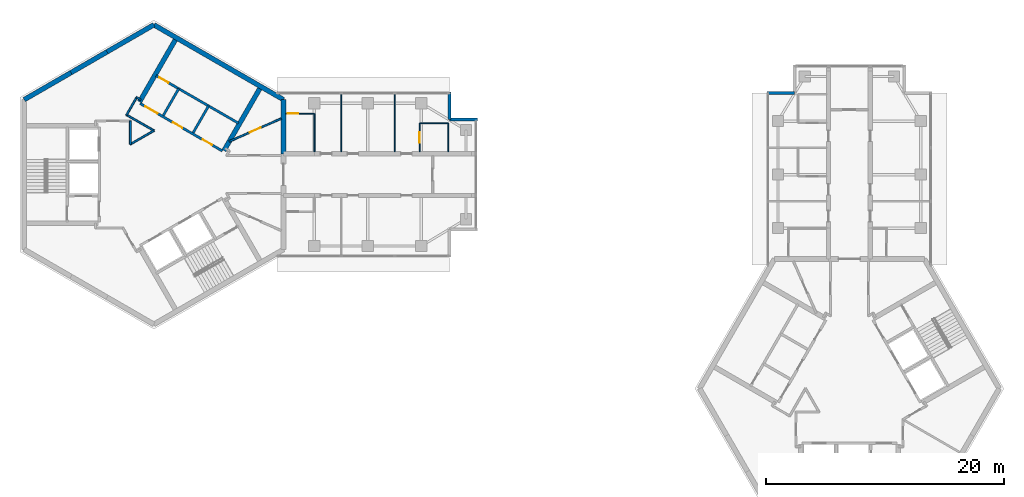
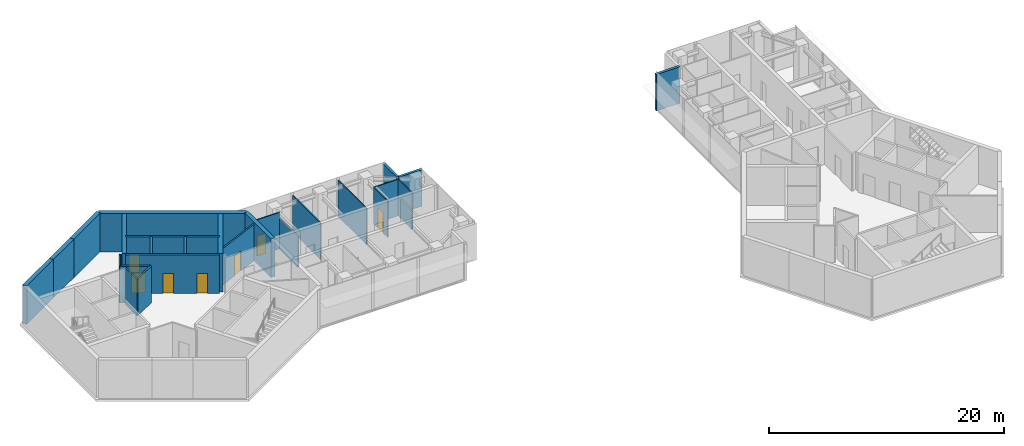
# One storey, part 7 of 11: 27 walls, 7 doors, 7 openings.
"""IFC4 building model written with IfcOpenShell, lengths in metres."""

from ifc_helpers import new_model, si_unit, direction, frame, frame_2d, origin, place, context, subcontext, project, spatial, rectangle, extrude, material, layer, layer_set, type_object, element, fill, save


model = new_model("IFC4")

# Units and contexts
model_context = context("Model", 3, precision=1e-05, world=origin(), true_north=direction((0.0, 1.0)))
body_context = subcontext(model_context, "Body", "Model", "MODEL_VIEW")
ifc_project = project(units=[si_unit("LENGTHUNIT", "METRE"), si_unit("AREAUNIT", "SQUARE_METRE"), si_unit("VOLUMEUNIT", "CUBIC_METRE"), si_unit("PLANEANGLEUNIT", "RADIAN"), si_unit("MASSUNIT", "GRAM", prefix="KILO")], contexts=[model_context])

# Site, building, storey
site_placement = place(None, origin())
site = spatial("IfcSite", under=ifc_project, at=site_placement, CompositionType="ELEMENT")
building_placement = place(site_placement, origin())
building = spatial("IfcBuilding", under=site, at=building_placement, Name="Upepo Twin Towers", CompositionType="ELEMENT")
storey_placement = place(building_placement, frame((0.0, 0.0, 271.5)))
storey = spatial("IfcBuildingStorey", under=building, at=storey_placement, Name="L66", CompositionType="ELEMENT", Elevation=271.5)

# Walls
ifc_material_1 = material(Name="Concrete C60/75", Category="concrete")
ifc_layer_1 = layer(ifc_material_1, 0.39990234375)
ifc_layer_set_1 = layer_set([ifc_layer_1], Name="Concrete C60/75")
wall_type_1 = type_object("IfcWallType", Name="Core wall 400 RC", PredefinedType="SHEAR", material=ifc_layer_set_1)
wall_1_placement = place(storey_placement, frame((10.908447265625, 1.75, 0.0), z_axis=(0.0, 0.0, 1.0), x_axis=(0.0, 1.0, 0.0)))
element("IfcWall", 1, at=wall_1_placement, inside=storey, type_object=wall_type_1, Name="T1 core wall 000 L", PredefinedType="SHEAR", context=body_context, shape_type="SweptSolid", body=[
    extrude(rectangle(XDim=4.5478515625, YDim=0.39990234375, at=frame_2d((2.27392578125, 0.0))), origin(), (0.0, 0.0, 1.0), 4.0),
])
wall_2_placement = place(storey_placement, frame((10.908447265625, 6.2978515625, 0.0), z_axis=(0.0, 0.0, 1.0), x_axis=(-0.866021940709, 0.500005998175, 0.0)))
element("IfcWall", 2, at=wall_2_placement, inside=storey, type_object=wall_type_1, Name="T1 core wall 060", PredefinedType="SHEAR", context=body_context, shape_type="SweptSolid", body=[
    extrude(rectangle(XDim=12.595947265625, YDim=0.39990234375, at=frame_2d((6.2978515625, 0.0))), origin(), (0.0, 0.0, 1.0), 4.0),
])
wall_3_placement = place(storey_placement, frame((0.0, 12.595947265625, 0.0), z_axis=(0.0, 0.0, 1.0), x_axis=(-0.866011268655, -0.500024481964, 0.0)))
element("IfcWall", 3, at=wall_3_placement, inside=storey, type_object=wall_type_1, Name="T1 core wall 120 R", PredefinedType="SHEAR", context=body_context, shape_type="SweptSolid", body=[
    extrude(rectangle(XDim=4.548095703125, YDim=0.39990234375, at=frame_2d((2.27392578125, 0.0))), origin(), (0.0, 0.0, 1.0), 4.0),
])
wall_4_placement = place(storey_placement, frame((-3.938720703125, 10.32177734375, 0.0), z_axis=(0.0, 0.0, 1.0), x_axis=(-0.866019471182, -0.500010275428, 0.0)))
element("IfcWall", 4, at=wall_4_placement, inside=storey, type_object=wall_type_1, Name="T1 core wall 120", PredefinedType="SHEAR", context=body_context, shape_type="SweptSolid", body=[
    extrude(rectangle(XDim=3.5, YDim=0.39990234375, at=frame_2d((1.75, 0.0))), origin(), (0.0, 0.0, 1.0), 4.0),
])
wall_5_placement = place(storey_placement, frame((-6.9697265625, 8.57177734375, 0.0), z_axis=(0.0, 0.0, 1.0), x_axis=(-0.866034513004, -0.499984222037, 0.0)))
element("IfcWall", 5, at=wall_5_placement, inside=storey, type_object=wall_type_1, Name="T1 core wall 120 L", PredefinedType="SHEAR", context=body_context, shape_type="SweptSolid", body=[
    extrude(rectangle(XDim=4.548095703125, YDim=0.39990234375, at=frame_2d((2.27392578125, 0.0))), origin(), (0.0, 0.0, 1.0), 4.0),
])
ifc_material_2 = material(Name="Blockwork with anodised aluminium cladding", Category="masonry")
ifc_layer_2 = layer(ifc_material_2, 0.25)
ifc_layer_set_2 = layer_set([ifc_layer_2], Name="Notch cladding wall 250, pale metal")
wall_type_2 = type_object("IfcWallType", Name="Notch cladding wall 250, pale metal", PredefinedType="STANDARD", material=ifc_layer_set_2)
for number, where, z_axis, x_axis, name in (
    (6, (24.875, 6.949951171875, 0.0), (0.0, 0.0, 1.0), (0.0, -1.0, 0.0), "T1 L66 wing A notch wall L1"),
    (7, (24.875, 4.625, 0.0), (0.0, 0.0, 1.0), (1.0, 0.0, 0.0), "T1 L66 wing A notch wall L2"),
    (8, (51.550048828125, 6.875, 0.0), (0.0, 0.0, 1.0), (1.0, 0.0, 0.0), "T2 L66 wing A notch wall L1"),
):
    element("IfcWall", number, at=place(storey_placement, frame(where, z_axis=z_axis, x_axis=x_axis)), inside=storey, type_object=wall_type_2, Name=name, PredefinedType="STANDARD", context=body_context, shape_type="SweptSolid", body=[
        extrude(rectangle(XDim=2.324951171875, YDim=0.25, at=frame_2d((1.16259765625, 0.0))), origin(), (0.0, 0.0, 1.0), 3.800048828125),
    ])
ifc_material_3 = material(Name="Gypsum board on steel studs", Category="steel")
ifc_layer_3 = layer(ifc_material_3, 0.10009765625)
ifc_layer_set_3 = layer_set([ifc_layer_3], Name="Office partition 100 stud")
wall_type_3 = type_object("IfcWallType", Name="Office partition 100 stud", PredefinedType="PARTITIONING", material=ifc_layer_set_3)
for number, where, z_axis, x_axis, name in (
    (9, (15.75, 1.925048828125, 0.0), (0.0, 0.0, 1.0), (0.0, 1.0, 0.0), "T1 partition AL at 15.75"),
    (10, (20.25, 1.925048828125, 0.0), (0.0, 0.0, 1.0), (0.0, 1.0, 0.0), "T1 partition AL at 20.25"),
):
    element("IfcWall", number, at=place(storey_placement, frame(where, z_axis=z_axis, x_axis=x_axis)), inside=storey, type_object=wall_type_3, Name=name, PredefinedType="PARTITIONING", context=body_context, shape_type="SweptSolid", body=[
        extrude(rectangle(XDim=4.824951171875, YDim=0.10009765625, at=frame_2d((2.41259765625, 0.0))), origin(), (0.0, 0.0, 1.0), 3.800048828125),
    ])
wall_6_placement = place(storey_placement, frame((22.35009765625, 4.324951171875, 0.0), z_axis=(0.0, 0.0, 1.0), x_axis=(1.0, 0.0, 0.0)))
element("IfcWall", 11, at=wall_6_placement, inside=storey, type_object=wall_type_3, Name="T1 inner room partition AL at 22.35", PredefinedType="PARTITIONING", context=body_context, shape_type="SweptSolid", body=[
    extrude(rectangle(XDim=2.39990234375, YDim=0.10009765625, at=frame_2d((1.199951171875, 0.0))), origin(), (0.0, 0.0, 1.0), 3.800048828125),
])

# Wall, opening, door
wall_7_placement = place(storey_placement, frame((22.35009765625, 1.925048828125, 0.0), z_axis=(0.0, 0.0, 1.0), x_axis=(0.0, 1.0, 0.0)))
wall_7 = element("IfcWall", 12, at=wall_7_placement, inside=storey, type_object=wall_type_3, Name="T1 inner room partition AL end at 22.35", PredefinedType="PARTITIONING", context=body_context, shape_type="SweptSolid", body=[
    extrude(rectangle(XDim=2.39990234375, YDim=0.10009765625, at=frame_2d((1.199951171875, 0.0))), origin(), (0.0, 0.0, 1.0), 3.800048828125),
])
opening_1_placement = place(wall_7_placement, frame((0.75, 0.0, 0.0)))
opening_1 = element("IfcOpeningElement", 13, at=opening_1_placement, cuts=wall_7, Name="Opening D14", PredefinedType="OPENING", context=body_context, shape_type="SweptSolid", body=[
    extrude(rectangle(XDim=0.89990234375, YDim=2.10009765625, at=frame_2d((0.449951171875, 1.050048828125))), frame((0.0, 0.06005859375, 0.0), z_axis=(0.0, -1.0, 0.0), x_axis=(1.0, 0.0, 0.0)), (0.0, 0.0, 1.0), 0.1201171875),
])
ifc_material_4 = material(Name="Timber doorset", Category="wood")
door_type_1 = type_object("IfcDoorType", Name="Office door 900 FD30", OperationType="SINGLE_SWING_LEFT", PredefinedType="DOOR", material=ifc_material_4)
door_1_placement = place(opening_1_placement, origin())
door_1 = element("IfcDoor", 14, at=door_1_placement, inside=storey, type_object=door_type_1, Name="T1 L66 inner room door", OperationType="SINGLE_SWING_LEFT", OverallHeight=2.10009765625, OverallWidth=0.89990234375, PredefinedType="DOOR", context=body_context, shape_type="SweptSolid", body=[
    extrude(rectangle(XDim=0.89990234375, YDim=2.10009765625, at=frame_2d((0.449951171875, 1.050048828125))), frame((0.0, 0.02490234375, 0.0), z_axis=(0.0, -1.0, 0.0), x_axis=(1.0, 0.0, 0.0)), (0.0, 0.0, 1.0), 0.050048828125),
])
fill(opening_1, door_1)

# Wall
wall_8_placement = place(storey_placement, frame((24.75, 1.925048828125, 0.0), z_axis=(0.0, 0.0, 1.0), x_axis=(0.0, 1.0, 0.0)))
element("IfcWall", 15, at=wall_8_placement, inside=storey, type_object=wall_type_3, Name="T1 inner room partition AL end at 24.75", PredefinedType="PARTITIONING", context=body_context, shape_type="SweptSolid", body=[
    extrude(rectangle(XDim=2.39990234375, YDim=0.10009765625, at=frame_2d((1.199951171875, 0.0))), origin(), (0.0, 0.0, 1.0), 3.800048828125),
])

# Wall, opening, door
wall_9_placement = place(storey_placement, frame((11.10791015625, 5.125, 0.0), z_axis=(0.0, 0.0, 1.0), x_axis=(1.0, 0.0, 0.0)))
wall_9 = element("IfcWall", 16, at=wall_9_placement, inside=storey, type_object=wall_type_3, Name="T1 WC bay partition AL at 11.11", PredefinedType="PARTITIONING", context=body_context, shape_type="SweptSolid", body=[
    extrude(rectangle(XDim=2.400146484375, YDim=0.10009765625, at=frame_2d((1.2001953125, 0.0))), origin(), (0.0, 0.0, 1.0), 3.800048828125),
])
opening_2_placement = place(wall_9_placement, frame((0.14990234375, 0.0, 0.0)))
opening_2 = element("IfcOpeningElement", 17, at=opening_2_placement, cuts=wall_9, Name="Opening D14", PredefinedType="OPENING", context=body_context, shape_type="SweptSolid", body=[
    extrude(rectangle(XDim=0.89990234375, YDim=2.10009765625, at=frame_2d((0.449951171875, 1.050048828125))), frame((0.0, 0.06005859375, 0.0), z_axis=(0.0, -1.0, 0.0), x_axis=(1.0, 0.0, 0.0)), (0.0, 0.0, 1.0), 0.1201171875),
])
door_2_placement = place(opening_2_placement, origin())
door_2 = element("IfcDoor", 18, at=door_2_placement, inside=storey, type_object=door_type_1, Name="T1 L66 WC bay inner room door", OperationType="SINGLE_SWING_LEFT", OverallHeight=2.10009765625, OverallWidth=0.89990234375, PredefinedType="DOOR", context=body_context, shape_type="SweptSolid", body=[
    extrude(rectangle(XDim=0.89990234375, YDim=2.10009765625, at=frame_2d((0.449951171875, 1.050048828125))), frame((0.0, 0.02490234375, 0.0), z_axis=(0.0, -1.0, 0.0), x_axis=(1.0, 0.0, 0.0)), (0.0, 0.0, 1.0), 0.050048828125),
])
fill(opening_2, door_2)

# Wall
wall_10_placement = place(storey_placement, frame((13.508056640625, 1.925048828125, 0.0), z_axis=(0.0, 0.0, 1.0), x_axis=(0.0, 1.0, 0.0)))
element("IfcWall", 19, at=wall_10_placement, inside=storey, type_object=wall_type_3, Name="T1 WC bay partition AL end at 13.51", PredefinedType="PARTITIONING", context=body_context, shape_type="SweptSolid", body=[
    extrude(rectangle(XDim=3.199951171875, YDim=0.10009765625, at=frame_2d((1.60009765625, 0.0))), origin(), (0.0, 0.0, 1.0), 3.266845703125),
])

# Wall, openings, doors
ifc_material_5 = material(Name="Concrete C40/50", Category="concrete")
ifc_layer_4 = layer(ifc_material_5, 0.199951171875)
ifc_layer_set_4 = layer_set([ifc_layer_4], Name="Concrete C40/50")
wall_type_4 = type_object("IfcWallType", Name="Shaft wall 200 RC", PredefinedType="SHEAR", material=ifc_layer_set_4)
wall_11_placement = place(storey_placement, frame((5.76416015625, 1.983642578125, 0.0), z_axis=(0.0, 0.0, 1.0), x_axis=(-0.866026010844, 0.49999894854, 0.0)))
wall_11 = element("IfcWall", 20, at=wall_11_placement, inside=storey, type_object=wall_type_4, Name="T1 core W60 front wall", PredefinedType="SHEAR", context=body_context, shape_type="SweptSolid", body=[
    extrude(rectangle(XDim=8.0, YDim=0.199951171875, at=frame_2d((4.0, 0.0))), origin(), (0.0, 0.0, 1.0), 4.0),
])
opening_3_placement = place(wall_11_placement, frame((6.300048828125, 0.0, 0.0)))
opening_3 = element("IfcOpeningElement", 21, at=opening_3_placement, cuts=wall_11, Name="Opening D4", PredefinedType="OPENING", context=body_context, shape_type="SweptSolid", body=[
    extrude(rectangle(XDim=1.199951171875, YDim=2.10009765625, at=frame_2d((0.60009765625, 1.050048828125))), frame((0.0, 0.10986328125, 0.0), z_axis=(0.0, -1.0, 0.0), x_axis=(1.0, 0.0, 0.0)), (0.0, 0.0, 1.0), 0.219970703125),
])
opening_4_placement = place(wall_11_placement, frame((1.0, 0.0, 0.0)))
opening_4 = element("IfcOpeningElement", 22, at=opening_4_placement, cuts=wall_11, Name="Opening D9", PredefinedType="OPENING", context=body_context, shape_type="SweptSolid", body=[
    extrude(rectangle(XDim=0.89990234375, YDim=2.10009765625, at=frame_2d((0.449951171875, 1.050048828125))), frame((0.0, 0.10986328125, 0.0), z_axis=(0.0, -1.0, 0.0), x_axis=(1.0, 0.0, 0.0)), (0.0, 0.0, 1.0), 0.219970703125),
])
opening_5_placement = place(wall_11_placement, frame((3.89990234375, 0.0, 0.0)))
opening_5 = element("IfcOpeningElement", 23, at=opening_5_placement, cuts=wall_11, Name="Opening D9", PredefinedType="OPENING", context=body_context, shape_type="SweptSolid", body=[
    extrude(rectangle(XDim=0.89990234375, YDim=2.10009765625, at=frame_2d((0.449951171875, 1.050048828125))), frame((0.0, 0.10986328125, 0.0), z_axis=(0.0, -1.0, 0.0), x_axis=(1.0, 0.0, 0.0)), (0.0, 0.0, 1.0), 0.219970703125),
])
ifc_material_6 = material(Name="Timber doorset", Category="wood")
door_type_2 = type_object("IfcDoorType", Name="Lobby door 1200 FD60", OperationType="SINGLE_SWING_LEFT", PredefinedType="DOOR", material=ifc_material_6)
door_3_placement = place(opening_3_placement, origin())
door_3 = element("IfcDoor", 24, at=door_3_placement, inside=storey, type_object=door_type_2, Name="T1 L66 W60 lobby door", OperationType="SINGLE_SWING_RIGHT", OverallHeight=2.10009765625, OverallWidth=1.199951171875, PredefinedType="DOOR", context=body_context, shape_type="SweptSolid", body=[
    extrude(rectangle(XDim=1.199951171875, YDim=2.10009765625, at=frame_2d((0.60009765625, 1.050048828125))), frame((0.0, 0.02490234375, 0.0), z_axis=(0.0, -1.0, 0.0), x_axis=(1.0, 0.0, 0.0)), (0.0, 0.0, 1.0), 0.050048828125),
])
fill(opening_3, door_3)
ifc_material_7 = material(Name="Timber doorset", Category="wood")
door_type_3 = type_object("IfcDoorType", Name="Riser door 900 FD60", OperationType="SINGLE_SWING_LEFT", PredefinedType="DOOR", material=ifc_material_7)
door_4_placement = place(opening_4_placement, origin())
door_4 = element("IfcDoor", 25, at=door_4_placement, inside=storey, type_object=door_type_3, Name="T1 L66 av equipment store door", OperationType="SINGLE_SWING_LEFT", OverallHeight=2.10009765625, OverallWidth=0.89990234375, PredefinedType="DOOR", context=body_context, shape_type="SweptSolid", body=[
    extrude(rectangle(XDim=0.89990234375, YDim=2.10009765625, at=frame_2d((0.449951171875, 1.050048828125))), frame((0.0, 0.02490234375, 0.0), z_axis=(0.0, -1.0, 0.0), x_axis=(1.0, 0.0, 0.0)), (0.0, 0.0, 1.0), 0.050048828125),
])
fill(opening_4, door_4)
door_5_placement = place(opening_5_placement, origin())
door_5 = element("IfcDoor", 26, at=door_5_placement, inside=storey, type_object=door_type_3, Name="T1 L66 cleaner's store door", OperationType="SINGLE_SWING_RIGHT", OverallHeight=2.10009765625, OverallWidth=0.89990234375, PredefinedType="DOOR", context=body_context, shape_type="SweptSolid", body=[
    extrude(rectangle(XDim=0.89990234375, YDim=2.10009765625, at=frame_2d((0.449951171875, 1.050048828125))), frame((0.0, 0.02490234375, 0.0), z_axis=(0.0, -1.0, 0.0), x_axis=(1.0, 0.0, 0.0)), (0.0, 0.0, 1.0), 0.050048828125),
])
fill(opening_5, door_5)

# Walls
for number, where, z_axis, x_axis, name in (
    (27, (3.302734375, 3.520263671875, 0.0), (0.0, 0.0, 1.0), (0.499936506574, 0.866062058628, 0.0), "T1 core W60 shaft divider"),
    (28, (0.791259765625, 4.97021484375, 0.0), (0.0, 0.0, 1.0), (0.499936506574, 0.866062058628, 0.0), "T1 core W60 lobby wall"),
):
    element("IfcWall", number, at=place(storey_placement, frame(where, z_axis=z_axis, x_axis=x_axis)), inside=storey, type_object=wall_type_4, Name=name, PredefinedType="SHEAR", context=body_context, shape_type="SweptSolid", body=[
        extrude(rectangle(XDim=2.599853515625, YDim=0.199951171875, at=frame_2d((1.2998046875, 0.0))), origin(), (0.0, 0.0, 1.0), 4.0),
    ])

# Wall, opening, door
wall_12_placement = place(storey_placement, frame((7.114013671875, 4.322021484375, 0.0), z_axis=(0.0, 0.0, 1.0), x_axis=(-0.866026010844, 0.49999894854, 0.0)))
wall_12 = element("IfcWall", 29, at=wall_12_placement, inside=storey, type_object=wall_type_4, Name="T1 core W60 stair wall", PredefinedType="SHEAR", context=body_context, shape_type="SweptSolid", body=[
    extrude(rectangle(XDim=8.0, YDim=0.199951171875, at=frame_2d((4.0, 0.0))), origin(), (0.0, 0.0, 1.0), 4.0),
])
opening_6_placement = place(wall_12_placement, frame((6.800048828125, 0.0, 0.0)))
opening_6 = element("IfcOpeningElement", 30, at=opening_6_placement, cuts=wall_12, Name="Opening D9", PredefinedType="OPENING", context=body_context, shape_type="SweptSolid", body=[
    extrude(rectangle(XDim=0.89990234375, YDim=2.10009765625, at=frame_2d((0.449951171875, 1.050048828125))), frame((0.0, 0.10986328125, 0.0), z_axis=(0.0, -1.0, 0.0), x_axis=(1.0, 0.0, 0.0)), (0.0, 0.0, 1.0), 0.219970703125),
])
door_6_placement = place(opening_6_placement, origin())
door_6 = element("IfcDoor", 31, at=door_6_placement, inside=storey, type_object=door_type_3, Name="T1 L66 riser door", OperationType="SINGLE_SWING_RIGHT", OverallHeight=2.10009765625, OverallWidth=0.89990234375, PredefinedType="DOOR", context=body_context, shape_type="SweptSolid", body=[
    extrude(rectangle(XDim=0.89990234375, YDim=2.10009765625, at=frame_2d((0.449951171875, 1.050048828125))), frame((0.0, 0.02490234375, 0.0), z_axis=(0.0, -1.0, 0.0), x_axis=(1.0, 0.0, 0.0)), (0.0, 0.0, 1.0), 0.050048828125),
])
fill(opening_6, door_6)

# Walls
ifc_material_8 = material(Name="Concrete C40/50", Category="concrete")
ifc_layer_5 = layer(ifc_material_8, 0.39990234375)
ifc_layer_set_5 = layer_set([ifc_layer_5], Name="Concrete C40/50")
wall_type_5 = type_object("IfcWallType", Name="Shaft wall 400 RC", PredefinedType="SHEAR", material=ifc_layer_set_5)
for number, where, z_axis, x_axis, name in (
    (32, (-1.20068359375, 6.120361328125, 0.0), (0.0, 0.0, 1.0), (0.499997979876, 0.866026570101, 0.0), "T1 core W60 side wall N"),
    (33, (5.900634765625, 2.020263671875, 0.0), (0.0, 0.0, 1.0), (0.499997979876, 0.866026570101, 0.0), "T1 core W60 side wall S"),
):
    element("IfcWall", number, at=place(storey_placement, frame(where, z_axis=z_axis, x_axis=x_axis)), inside=storey, type_object=wall_type_5, Name=name, PredefinedType="SHEAR", context=body_context, shape_type="SweptSolid", body=[
        extrude(rectangle(XDim=6.00830078125, YDim=0.39990234375, at=frame_2d((3.004150390625, 0.0))), origin(), (0.0, 0.0, 1.0), 4.0),
    ])
ifc_material_9 = material(Name="Gypsum board on steel studs", Category="steel")
ifc_layer_6 = layer(ifc_material_9, 0.14990234375)
ifc_layer_set_6 = layer_set([ifc_layer_6], Name="Teaching partition 150 acoustic")
wall_type_6 = type_object("IfcWallType", Name="Teaching partition 150 acoustic", PredefinedType="PARTITIONING", material=ifc_layer_set_6)
wall_13_placement = place(storey_placement, frame((-1.97509765625, 4.52001953125, 0.0), z_axis=(0.0, 0.0, 1.0), x_axis=(0.0, -1.0, 0.0)))
element("IfcWall", 34, at=wall_13_placement, inside=storey, type_object=wall_type_6, Name="T1 core room partition 8", PredefinedType="PARTITIONING", context=body_context, shape_type="SweptSolid", body=[
    extrude(rectangle(XDim=1.985107421875, YDim=0.14990234375, at=frame_2d((0.99267578125, 0.0))), origin(), (0.0, 0.0, 1.0), 3.800048828125),
])
wall_14_placement = place(storey_placement, frame((-1.992431640625, 2.544921875, 0.0), z_axis=(0.0, 0.0, 1.0), x_axis=(0.866059450854, 0.499941024108, 0.0)))
element("IfcWall", 35, at=wall_14_placement, inside=storey, type_object=wall_type_6, Name="T1 core room partition 9", PredefinedType="PARTITIONING", context=body_context, shape_type="SweptSolid", body=[
    extrude(rectangle(XDim=2.320556640625, YDim=0.14990234375, at=frame_2d((1.16015625, 0.0))), origin(), (0.0, 0.0, 1.0), 3.800048828125),
])
wall_15_placement = place(storey_placement, frame((0.017333984375, 3.68505859375, 0.0), z_axis=(0.0, 0.0, 1.0), x_axis=(-0.866036099759, 0.499981473571, 0.0)))
element("IfcWall", 36, at=wall_15_placement, inside=storey, type_object=wall_type_6, Name="T1 core room partition 10", PredefinedType="PARTITIONING", context=body_context, shape_type="SweptSolid", body=[
    extrude(rectangle(XDim=2.6923828125, YDim=0.14990234375, at=frame_2d((1.34619140625, 0.0))), origin(), (0.0, 0.0, 1.0), 3.800048828125),
])
wall_16_placement = place(storey_placement, frame((-2.30712890625, 5.00390625, 0.0), z_axis=(0.0, 0.0, 1.0), x_axis=(0.500062521093, 0.865989304205, 0.0)))
element("IfcWall", 37, at=wall_16_placement, inside=storey, type_object=wall_type_6, Name="T1 core room partition 11", PredefinedType="PARTITIONING", context=body_context, shape_type="SweptSolid", body=[
    extrude(rectangle(XDim=1.739990234375, YDim=0.14990234375, at=frame_2d((0.8701171875, 0.0))), origin(), (0.0, 0.0, 1.0), 3.800048828125),
])
wall_17_placement = place(storey_placement, frame((-1.46435546875, 6.50341796875, 0.0), z_axis=(0.0, 0.0, 1.0), x_axis=(0.866138304741, -0.499804398801, 0.0)))
element("IfcWall", 38, at=wall_17_placement, inside=storey, type_object=wall_type_6, Name="T1 core room partition 12", PredefinedType="PARTITIONING", context=body_context, shape_type="SweptSolid", body=[
    extrude(rectangle(XDim=0.429931640625, YDim=0.14990234375, at=frame_2d((0.21484375, 0.0))), origin(), (0.0, 0.0, 1.0), 3.800048828125),
])

# Wall, opening, door
wall_18_placement = place(storey_placement, frame((6.344482421875, 2.7890625, 0.0), z_axis=(0.0, 0.0, 1.0), x_axis=(0.915438841787, 0.402457111937, 0.0)))
wall_18 = element("IfcWall", 39, at=wall_18_placement, inside=storey, type_object=wall_type_6, Name="T1 core room partition 19", PredefinedType="PARTITIONING", context=body_context, shape_type="SweptSolid", body=[
    extrude(rectangle(XDim=4.766845703125, YDim=0.14990234375, at=frame_2d((2.38330078125, 0.0))), origin(), (0.0, 0.0, 1.0), 3.800048828125),
])
opening_7_placement = place(wall_18_placement, frame((1.88330078125, 0.0, 0.0)))
opening_7 = element("IfcOpeningElement", 40, at=opening_7_placement, cuts=wall_18, Name="Opening D1", PredefinedType="OPENING", context=body_context, shape_type="SweptSolid", body=[
    extrude(rectangle(XDim=1.0, YDim=2.10009765625, at=frame_2d((0.5, 1.050048828125))), frame((0.0, 0.0849609375, 0.0), z_axis=(0.0, -1.0, 0.0), x_axis=(1.0, 0.0, 0.0)), (0.0, 0.0, 1.0), 0.169921875),
])
ifc_material_10 = material(Name="Timber doorset", Category="wood")
door_type_4 = type_object("IfcDoorType", Name="Room door 1000 FD30", OperationType="SINGLE_SWING_LEFT", PredefinedType="DOOR", material=ifc_material_10)
door_7_placement = place(opening_7_placement, origin())
door_7 = element("IfcDoor", 41, at=door_7_placement, inside=storey, type_object=door_type_4, Name="T1 L66 core room door K5", OperationType="SINGLE_SWING_LEFT", OverallHeight=2.10009765625, OverallWidth=1.0, PredefinedType="DOOR", context=body_context, shape_type="SweptSolid", body=[
    extrude(rectangle(XDim=1.0, YDim=2.10009765625, at=frame_2d((0.5, 1.050048828125))), frame((0.0, 0.02490234375, 0.0), z_axis=(0.0, -1.0, 0.0), x_axis=(1.0, 0.0, 0.0)), (0.0, 0.0, 1.0), 0.050048828125),
])
fill(opening_7, door_7)

save(model, "model.ifc")
